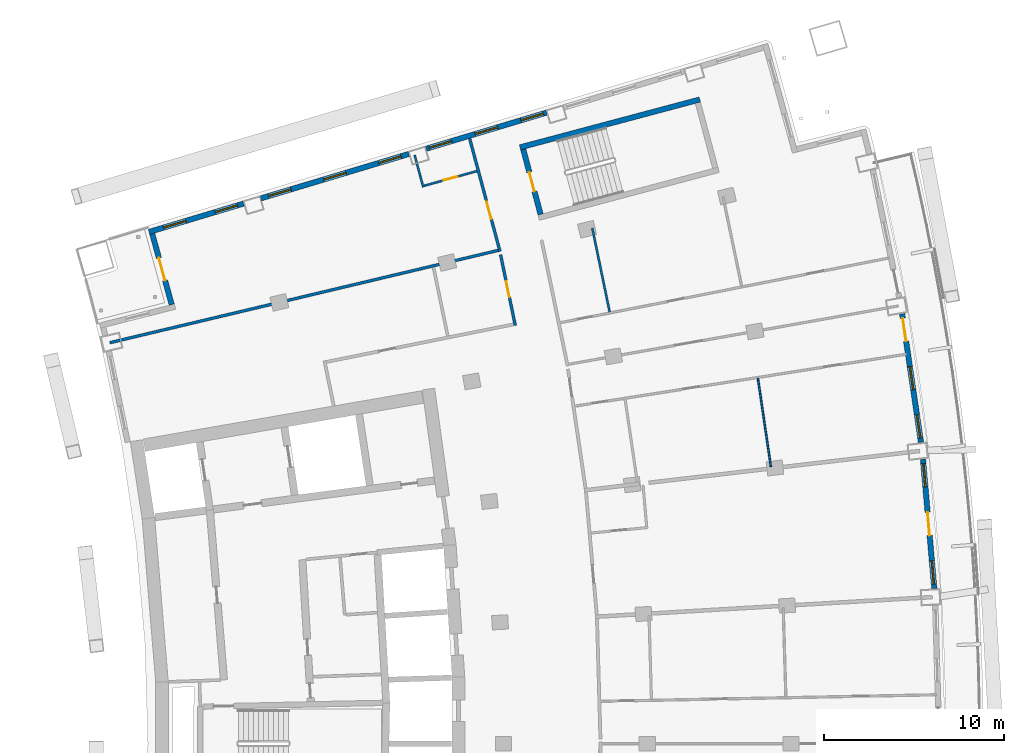
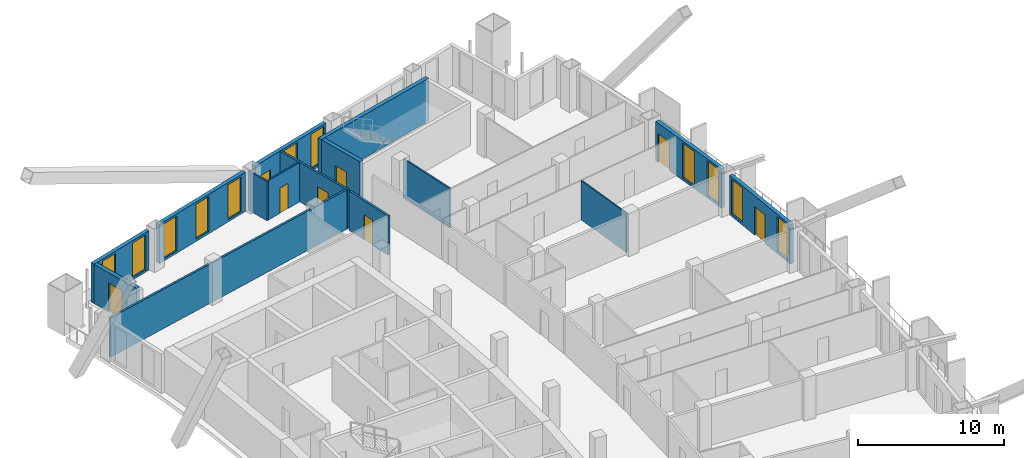
# One storey, part 15 of 20: 15 walls, 12 windows, 7 doors, 19 openings.
"""IFC4 building model written with IfcOpenShell, lengths in metres."""

from ifc_helpers import new_model, si_unit, direction, frame, frame_2d, origin, place, context, subcontext, project, spatial, rectangle, extrude, material, layer, layer_set, type_object, element, fill, save


model = new_model("IFC4")

# Units and contexts
model_context = context("Model", 3, precision=1e-05, world=origin(), true_north=direction((0.0, 1.0)))
body_context = subcontext(model_context, "Body", "Model", "MODEL_VIEW")
ifc_project = project(units=[si_unit("LENGTHUNIT", "METRE"), si_unit("AREAUNIT", "SQUARE_METRE"), si_unit("VOLUMEUNIT", "CUBIC_METRE"), si_unit("PLANEANGLEUNIT", "RADIAN"), si_unit("MASSUNIT", "GRAM", prefix="KILO")], contexts=[model_context])

# Site, building, storey
site_placement = place(None, origin())
site = spatial("IfcSite", under=ifc_project, at=site_placement, CompositionType="ELEMENT")
building_placement = place(site_placement, origin())
building = spatial("IfcBuilding", under=site, at=building_placement, Name="Alderwake Tower", CompositionType="ELEMENT")
storey_placement = place(building_placement, frame((0.0, 0.0, 149.60009765625)))
storey = spatial("IfcBuildingStorey", under=building, at=storey_placement, Name="L36", CompositionType="ELEMENT", Elevation=149.60009765625)

# Wall
ifc_material_1 = material(Name="Concrete C70/85", Category="concrete")
ifc_layer_1 = layer(ifc_material_1, 0.300048828125)
ifc_layer_set_1 = layer_set([ifc_layer_1], Name="Core wall stair enclosure 300 C70-85")
wall_type_1 = type_object("IfcWallType", Name="Core wall stair enclosure 300 C70-85", PredefinedType="SHEAR", material=ifc_layer_set_1)
wall_1_placement = place(storey_placement, frame((36.71142578125, 94.182373046875, 0.0), z_axis=(0.0, 0.0, 1.0), x_axis=(0.966309214305, 0.257383958996, 0.0)))
element("IfcWall", 1, at=wall_1_placement, inside=storey, type_object=wall_type_1, Name="Core wall CW.082", PredefinedType="SHEAR", context=body_context, shape_type="SweptSolid", body=[
    extrude(rectangle(XDim=10.360107421875, YDim=0.300048828125, at=frame_2d((5.18017578125, 0.0))), origin(), (0.0, 0.0, 1.0), 3.599853515625),
])

# Wall, opening, door
wall_2_placement = place(storey_placement, frame((37.8603515625, 90.452392578125, 0.0), z_axis=(0.0, 0.0, 1.0), x_axis=(-0.257411420208, 0.966301899381, 0.0)))
wall_2 = element("IfcWall", 2, at=wall_2_placement, inside=storey, type_object=wall_type_1, Name="Core wall CW.083", PredefinedType="SHEAR", context=body_context, shape_type="SweptSolid", body=[
    extrude(rectangle(XDim=3.750244140625, YDim=0.300048828125, at=frame_2d((1.875, 0.0))), origin(), (0.0, 0.0, 1.0), 3.599853515625),
])
opening_1_placement = place(wall_2_placement, frame((1.324951171875, 0.0, 0.0)))
opening_1 = element("IfcOpeningElement", 3, at=opening_1_placement, cuts=wall_2, Name="Opening C062", PredefinedType="OPENING", context=body_context, shape_type="SweptSolid", body=[
    extrude(rectangle(XDim=1.10009765625, YDim=2.10009765625, at=frame_2d((0.550048828125, 1.050048828125))), frame((0.0, 0.159912109375, 0.0), z_axis=(0.0, -1.0, 0.0), x_axis=(1.0, 0.0, 0.0)), (0.0, 0.0, 1.0), 0.320068359375),
])
ifc_material_2 = material(Name="Steel-framed fire door leaf", Category="steel")
door_type_1 = type_object("IfcDoorType", Name="Core stair door 1100 fire-rated", OperationType="SINGLE_SWING_LEFT", PredefinedType="DOOR", material=ifc_material_2)
door_1_placement = place(opening_1_placement, origin())
door_1 = element("IfcDoor", 4, at=door_1_placement, inside=storey, type_object=door_type_1, Name="Stair door", OperationType="SINGLE_SWING_RIGHT", OverallHeight=2.10009765625, OverallWidth=1.10009765625, PredefinedType="DOOR", context=body_context, shape_type="SweptSolid", body=[
    extrude(rectangle(XDim=1.10009765625, YDim=2.10009765625, at=frame_2d((0.550048828125, 1.050048828125))), frame((0.0, 0.02490234375, 0.0), z_axis=(0.0, -1.0, 0.0), x_axis=(1.0, 0.0, 0.0)), (0.0, 0.0, 1.0), 0.050048828125),
])
fill(opening_1, door_1)

ifc_material_3 = material(Name="Gypsum board on metal studs, rated")
ifc_layer_2 = layer(ifc_material_3, 0.159912109375)
ifc_layer_set_2 = layer_set([ifc_layer_2], Name="Corridor wall 160")
wall_type_2 = type_object("IfcWallType", Name="Corridor wall 160", PredefinedType="PARTITIONING", material=ifc_layer_set_2)
wall_3_placement = place(storey_placement, frame((35.600830078125, 88.392578125, 0.0), z_axis=(0.0, 0.0, 1.0), x_axis=(-0.259509260101, 0.965740619381, 0.0)))
wall_3 = element("IfcWall", 5, at=wall_3_placement, inside=storey, type_object=wall_type_2, Name="WL/L36/W15", PredefinedType="PARTITIONING", context=body_context, shape_type="SweptSolid", body=[
    extrude(rectangle(XDim=6.50732421875, YDim=0.159912109375, at=frame_2d((3.253662109375, 0.0))), origin(), (0.0, 0.0, 1.0), 3.27978515625),
])
opening_2_placement = place(wall_3_placement, frame((1.865478515625, 0.0, 0.0)))
opening_2 = element("IfcOpeningElement", 6, at=opening_2_placement, cuts=wall_3, Name="Opening R10-U09.1", PredefinedType="OPENING", context=body_context, shape_type="SweptSolid", body=[
    extrude(rectangle(XDim=1.0, YDim=2.10009765625, at=frame_2d((0.5, 1.050048828125))), frame((0.0, 0.08984375, 0.0), z_axis=(0.0, -1.0, 0.0), x_axis=(1.0, 0.0, 0.0)), (0.0, 0.0, 1.0), 0.179931640625),
])
ifc_material_4 = material(Name="Solid timber leaf in steel frame", Category="steel")
door_type_2 = type_object("IfcDoorType", Name="Flat entrance door 1000 fire-rated", OperationType="SINGLE_SWING_LEFT", PredefinedType="DOOR", material=ifc_material_4)
door_2_placement = place(opening_2_placement, origin())
door_2 = element("IfcDoor", 7, at=door_2_placement, inside=storey, type_object=door_type_2, Name="DR/L36/U09.1", OperationType="SINGLE_SWING_LEFT", OverallHeight=2.10009765625, OverallWidth=1.0, PredefinedType="DOOR", context=body_context, shape_type="SweptSolid", body=[
    extrude(rectangle(XDim=1.0, YDim=2.10009765625, at=frame_2d((0.5, 1.050048828125))), frame((0.0, 0.02490234375, 0.0), z_axis=(0.0, -1.0, 0.0), x_axis=(1.0, 0.0, 0.0)), (0.0, 0.0, 1.0), 0.050048828125),
])
fill(opening_2, door_2)

# Wall
wall_4_placement = place(storey_placement, frame((35.502197265625, 88.451416015625, 0.0), z_axis=(0.0, 0.0, 1.0), x_axis=(-0.972894913244, -0.231247676278, 0.0)))
element("IfcWall", 8, at=wall_4_placement, inside=storey, type_object=wall_type_2, Name="WL/L36/W17", PredefinedType="PARTITIONING", context=body_context, shape_type="SweptSolid", body=[
    extrude(rectangle(XDim=22.220458984375, YDim=0.159912109375, at=frame_2d((11.1103515625, 0.0))), origin(), (0.0, 0.0, 1.0), 3.27978515625),
])

# Wall, opening, door
wall_5_placement = place(storey_placement, frame((36.451416015625, 84.272705078125, 0.0), z_axis=(0.0, 0.0, 1.0), x_axis=(-0.203258199701, 0.979125172924, 0.0)))
wall_5 = element("IfcWall", 9, at=wall_5_placement, inside=storey, type_object=wall_type_2, Name="WL/L36/W18", PredefinedType="PARTITIONING", context=body_context, shape_type="SweptSolid", body=[
    extrude(rectangle(XDim=4.020263671875, YDim=0.159912109375, at=frame_2d((2.01025390625, 0.0))), origin(), (0.0, 0.0, 1.0), 3.27978515625),
])
opening_3_placement = place(wall_5_placement, frame((1.599609375, 0.0, 0.0)))
opening_3 = element("IfcOpeningElement", 10, at=opening_3_placement, cuts=wall_5, Name="Opening R10-SBN2", PredefinedType="OPENING", context=body_context, shape_type="SweptSolid", body=[
    extrude(rectangle(XDim=0.89990234375, YDim=2.10009765625, at=frame_2d((0.449951171875, 1.050048828125))), frame((0.0, 0.08984375, 0.0), z_axis=(0.0, -1.0, 0.0), x_axis=(1.0, 0.0, 0.0)), (0.0, 0.0, 1.0), 0.179931640625),
])
ifc_material_5 = material(Name="Painted timber leaf", Category="wood")
door_type_3 = type_object("IfcDoorType", Name="Room door 900", OperationType="SINGLE_SWING_LEFT", PredefinedType="DOOR", material=ifc_material_5)
door_3_placement = place(opening_3_placement, origin())
door_3 = element("IfcDoor", 11, at=door_3_placement, inside=storey, type_object=door_type_3, Name="DR/L36/SBN2", OperationType="SINGLE_SWING_LEFT", OverallHeight=2.10009765625, OverallWidth=0.89990234375, PredefinedType="DOOR", context=body_context, shape_type="SweptSolid", body=[
    extrude(rectangle(XDim=0.89990234375, YDim=2.10009765625, at=frame_2d((0.449951171875, 1.050048828125))), frame((0.0, 0.02490234375, 0.0), z_axis=(0.0, -1.0, 0.0), x_axis=(1.0, 0.0, 0.0)), (0.0, 0.0, 1.0), 0.050048828125),
])
fill(opening_3, door_3)

# Wall, openings, door, windows
ifc_material_6 = material(Name="Precast concrete C50/60 spandrel panel", Category="concrete")
ifc_layer_3 = layer(ifc_material_6, 0.300048828125)
ifc_layer_set_3 = layer_set([ifc_layer_3], Name="External wall EW1 Precast concrete C50/60 spandrel")
wall_type_3 = type_object("IfcWallType", Name="External wall EW1 Precast concrete C50/60 spandrel", PredefinedType="SOLIDWALL", material=ifc_layer_set_3)
wall_6_placement = place(storey_placement, frame((59.7705078125, 69.63623046875, 0.0), z_axis=(0.0, 0.0, 1.0), x_axis=(-0.087383747715, 0.996174723949, 0.0)))
wall_6 = element("IfcWall", 12, at=wall_6_placement, inside=storey, type_object=wall_type_3, Name="External wall 17", PredefinedType="SOLIDWALL", context=body_context, shape_type="SweptSolid", body=[
    extrude(rectangle(XDim=7.22216796875, YDim=0.300048828125, at=frame_2d((3.611083984375, 0.0))), origin(), (0.0, 0.0, 1.0), 3.27978515625),
])
opening_4_placement = place(wall_6_placement, frame((0.2431640625, 0.0, 0.199951171875)))
opening_4 = element("IfcOpeningElement", 13, at=opening_4_placement, cuts=wall_6, Name="Opening W1", PredefinedType="OPENING", context=body_context, shape_type="SweptSolid", body=[
    extrude(rectangle(XDim=1.300048828125, YDim=2.89990234375, at=frame_2d((0.64990234375, 1.449951171875))), frame((0.0, 0.159912109375, 0.0), z_axis=(0.0, -1.0, 0.0), x_axis=(1.0, 0.0, 0.0)), (0.0, 0.0, 1.0), 0.320068359375),
])
opening_5_placement = place(wall_6_placement, frame((2.9609375, 0.0, 0.0)))
opening_5 = element("IfcOpeningElement", 14, at=opening_5_placement, cuts=wall_6, Name="Opening D06", PredefinedType="OPENING", context=body_context, shape_type="SweptSolid", body=[
    extrude(rectangle(XDim=1.300048828125, YDim=2.39990234375, at=frame_2d((0.64990234375, 1.199951171875))), frame((0.0, 0.159912109375, 0.0), z_axis=(0.0, -1.0, 0.0), x_axis=(1.0, 0.0, 0.0)), (0.0, 0.0, 1.0), 0.320068359375),
])
opening_6_placement = place(wall_6_placement, frame((5.678955078125, 0.0, 0.199951171875)))
opening_6 = element("IfcOpeningElement", 15, at=opening_6_placement, cuts=wall_6, Name="Opening W1", PredefinedType="OPENING", context=body_context, shape_type="SweptSolid", body=[
    extrude(rectangle(XDim=1.300048828125, YDim=2.89990234375, at=frame_2d((0.64990234375, 1.449951171875))), frame((0.0, 0.159912109375, 0.0), z_axis=(0.0, -1.0, 0.0), x_axis=(1.0, 0.0, 0.0)), (0.0, 0.0, 1.0), 0.320068359375),
])
ifc_material_7 = material(Name="Bronze tinted glass in aluminium frame", Category="aluminium")
door_type_4 = type_object("IfcDoorType", Name="Balcony door BD sliding", OperationType="SLIDING_TO_LEFT", PredefinedType="DOOR", material=ifc_material_7)
door_4_placement = place(opening_5_placement, origin())
door_4 = element("IfcDoor", 16, at=door_4_placement, inside=storey, type_object=door_type_4, Name="Door D06", OperationType="SLIDING_TO_LEFT", OverallHeight=2.39990234375, OverallWidth=1.300048828125, PredefinedType="DOOR", context=body_context, shape_type="SweptSolid", body=[
    extrude(rectangle(XDim=1.300048828125, YDim=2.39990234375, at=frame_2d((0.64990234375, 1.199951171875))), frame((0.0, 0.02490234375, 0.0), z_axis=(0.0, -1.0, 0.0), x_axis=(1.0, 0.0, 0.0)), (0.0, 0.0, 1.0), 0.050048828125),
])
fill(opening_5, door_4)
ifc_material_8 = material(Name="Bronze tinted glass in aluminium frame", Category="aluminium")
window_type_1 = type_object("IfcWindowType", Name="Window W1 tall fixed and vent", PartitioningType="DOUBLE_PANEL_VERTICAL", PredefinedType="WINDOW", material=ifc_material_8)
window_1_placement = place(opening_4_placement, origin())
window_1 = element("IfcWindow", 17, at=window_1_placement, inside=storey, type_object=window_type_1, Name="Window W1 tall fixed and vent", OverallHeight=2.89990234375, OverallWidth=1.300048828125, PartitioningType="DOUBLE_PANEL_VERTICAL", PredefinedType="WINDOW", context=body_context, shape_type="SweptSolid", body=[
    extrude(rectangle(XDim=1.300048828125, YDim=2.89990234375, at=frame_2d((0.64990234375, 1.449951171875))), frame((0.0, 0.030029296875, 0.0), z_axis=(0.0, -1.0, 0.0), x_axis=(1.0, 0.0, 0.0)), (0.0, 0.0, 1.0), 0.06005859375),
])
fill(opening_4, window_1)
window_2_placement = place(opening_6_placement, origin())
window_2 = element("IfcWindow", 18, at=window_2_placement, inside=storey, type_object=window_type_1, Name="Window W1 tall fixed and vent", OverallHeight=2.89990234375, OverallWidth=1.300048828125, PartitioningType="DOUBLE_PANEL_VERTICAL", PredefinedType="WINDOW", context=body_context, shape_type="SweptSolid", body=[
    extrude(rectangle(XDim=1.300048828125, YDim=2.89990234375, at=frame_2d((0.64990234375, 1.449951171875))), frame((0.0, 0.030029296875, 0.0), z_axis=(0.0, -1.0, 0.0), x_axis=(1.0, 0.0, 0.0)), (0.0, 0.0, 1.0), 0.06005859375),
])
fill(opening_6, window_2)

wall_7_placement = place(storey_placement, frame((59.029296875, 77.770263671875, 0.0), z_axis=(0.0, 0.0, 1.0), x_axis=(-0.145324652045, 0.989384023273, 0.0)))
wall_7 = element("IfcWall", 19, at=wall_7_placement, inside=storey, type_object=wall_type_3, Name="External wall 18", PredefinedType="SOLIDWALL", context=body_context, shape_type="SweptSolid", body=[
    extrude(rectangle(XDim=7.22216796875, YDim=0.300048828125, at=frame_2d((3.611083984375, 0.0))), origin(), (0.0, 0.0, 1.0), 3.27978515625),
])
opening_7_placement = place(wall_7_placement, frame((0.2431640625, 0.0, 0.199951171875)))
opening_7 = element("IfcOpeningElement", 20, at=opening_7_placement, cuts=wall_7, Name="Opening W1", PredefinedType="OPENING", context=body_context, shape_type="SweptSolid", body=[
    extrude(rectangle(XDim=1.300048828125, YDim=2.89990234375, at=frame_2d((0.64990234375, 1.449951171875))), frame((0.0, 0.159912109375, 0.0), z_axis=(0.0, -1.0, 0.0), x_axis=(1.0, 0.0, 0.0)), (0.0, 0.0, 1.0), 0.320068359375),
])
opening_8_placement = place(wall_7_placement, frame((2.961181640625, 0.0, 0.199951171875)))
opening_8 = element("IfcOpeningElement", 21, at=opening_8_placement, cuts=wall_7, Name="Opening W1", PredefinedType="OPENING", context=body_context, shape_type="SweptSolid", body=[
    extrude(rectangle(XDim=1.300048828125, YDim=2.89990234375, at=frame_2d((0.64990234375, 1.449951171875))), frame((0.0, 0.159912109375, 0.0), z_axis=(0.0, -1.0, 0.0), x_axis=(1.0, 0.0, 0.0)), (0.0, 0.0, 1.0), 0.320068359375),
])
opening_9_placement = place(wall_7_placement, frame((5.678955078125, 0.0, 0.0)))
opening_9 = element("IfcOpeningElement", 22, at=opening_9_placement, cuts=wall_7, Name="Opening D07", PredefinedType="OPENING", context=body_context, shape_type="SweptSolid", body=[
    extrude(rectangle(XDim=1.300048828125, YDim=2.39990234375, at=frame_2d((0.64990234375, 1.199951171875))), frame((0.0, 0.159912109375, 0.0), z_axis=(0.0, -1.0, 0.0), x_axis=(1.0, 0.0, 0.0)), (0.0, 0.0, 1.0), 0.320068359375),
])
door_5_placement = place(opening_9_placement, origin())
door_5 = element("IfcDoor", 23, at=door_5_placement, inside=storey, type_object=door_type_4, Name="Door D07", OperationType="SLIDING_TO_LEFT", OverallHeight=2.39990234375, OverallWidth=1.300048828125, PredefinedType="DOOR", context=body_context, shape_type="SweptSolid", body=[
    extrude(rectangle(XDim=1.300048828125, YDim=2.39990234375, at=frame_2d((0.64990234375, 1.199951171875))), frame((0.0, 0.02490234375, 0.0), z_axis=(0.0, -1.0, 0.0), x_axis=(1.0, 0.0, 0.0)), (0.0, 0.0, 1.0), 0.050048828125),
])
fill(opening_9, door_5)
window_3_placement = place(opening_7_placement, origin())
window_3 = element("IfcWindow", 24, at=window_3_placement, inside=storey, type_object=window_type_1, Name="Window W1 tall fixed and vent", OverallHeight=2.89990234375, OverallWidth=1.300048828125, PartitioningType="DOUBLE_PANEL_VERTICAL", PredefinedType="WINDOW", context=body_context, shape_type="SweptSolid", body=[
    extrude(rectangle(XDim=1.300048828125, YDim=2.89990234375, at=frame_2d((0.64990234375, 1.449951171875))), frame((0.0, 0.030029296875, 0.0), z_axis=(0.0, -1.0, 0.0), x_axis=(1.0, 0.0, 0.0)), (0.0, 0.0, 1.0), 0.06005859375),
])
fill(opening_7, window_3)
window_4_placement = place(opening_8_placement, origin())
window_4 = element("IfcWindow", 25, at=window_4_placement, inside=storey, type_object=window_type_1, Name="Window W1 tall fixed and vent", OverallHeight=2.89990234375, OverallWidth=1.300048828125, PartitioningType="DOUBLE_PANEL_VERTICAL", PredefinedType="WINDOW", context=body_context, shape_type="SweptSolid", body=[
    extrude(rectangle(XDim=1.300048828125, YDim=2.89990234375, at=frame_2d((0.64990234375, 1.449951171875))), frame((0.0, 0.030029296875, 0.0), z_axis=(0.0, -1.0, 0.0), x_axis=(1.0, 0.0, 0.0)), (0.0, 0.0, 1.0), 0.06005859375),
])
fill(opening_8, window_4)

# Wall, openings, windows
ifc_material_9 = material(Name="Bronze metal cladding on lightweight framing")
ifc_layer_4 = layer(ifc_material_9, 0.300048828125)
ifc_layer_set_4 = layer_set([ifc_layer_4], Name="External wall EW2 bronze metal cladding")
wall_type_4 = type_object("IfcWallType", Name="External wall EW2 bronze metal cladding", PredefinedType="SOLIDWALL", material=ifc_layer_set_4)
wall_8_placement = place(storey_placement, frame((38.18994140625, 96.11865234375, 0.0), z_axis=(0.0, 0.0, 1.0), x_axis=(-0.957757105671, -0.287578383292, 0.0)))
wall_8 = element("IfcWall", 26, at=wall_8_placement, inside=storey, type_object=wall_type_4, Name="External wall 25", PredefinedType="SOLIDWALL", context=body_context, shape_type="SweptSolid", body=[
    extrude(rectangle(XDim=6.996337890625, YDim=0.300048828125, at=frame_2d((3.498046875, 0.0))), origin(), (0.0, 0.0, 1.0), 3.27978515625),
])
opening_10_placement = place(wall_8_placement, frame((0.181396484375, 0.0, 0.199951171875)))
opening_10 = element("IfcOpeningElement", 27, at=opening_10_placement, cuts=wall_8, Name="Opening W1", PredefinedType="OPENING", context=body_context, shape_type="SweptSolid", body=[
    extrude(rectangle(XDim=1.300048828125, YDim=2.89990234375, at=frame_2d((0.64990234375, 1.449951171875))), frame((0.0, 0.159912109375, 0.0), z_axis=(0.0, -1.0, 0.0), x_axis=(1.0, 0.0, 0.0)), (0.0, 0.0, 1.0), 0.320068359375),
])
opening_11_placement = place(wall_8_placement, frame((2.84814453125, 0.0, 0.199951171875)))
opening_11 = element("IfcOpeningElement", 28, at=opening_11_placement, cuts=wall_8, Name="Opening W1", PredefinedType="OPENING", context=body_context, shape_type="SweptSolid", body=[
    extrude(rectangle(XDim=1.300048828125, YDim=2.89990234375, at=frame_2d((0.64990234375, 1.449951171875))), frame((0.0, 0.159912109375, 0.0), z_axis=(0.0, -1.0, 0.0), x_axis=(1.0, 0.0, 0.0)), (0.0, 0.0, 1.0), 0.320068359375),
])
opening_12_placement = place(wall_8_placement, frame((5.514892578125, 0.0, 1.0)))
opening_12 = element("IfcOpeningElement", 29, at=opening_12_placement, cuts=wall_8, Name="Opening W2", PredefinedType="OPENING", context=body_context, shape_type="SweptSolid", body=[
    extrude(rectangle(XDim=1.300048828125, YDim=1.199951171875, at=frame_2d((0.64990234375, 0.60009765625))), frame((0.0, 0.159912109375, 0.0), z_axis=(0.0, -1.0, 0.0), x_axis=(1.0, 0.0, 0.0)), (0.0, 0.0, 1.0), 0.320068359375),
])
window_5_placement = place(opening_10_placement, origin())
window_5 = element("IfcWindow", 30, at=window_5_placement, inside=storey, type_object=window_type_1, Name="Window W1 tall fixed and vent", OverallHeight=2.89990234375, OverallWidth=1.300048828125, PartitioningType="DOUBLE_PANEL_VERTICAL", PredefinedType="WINDOW", context=body_context, shape_type="SweptSolid", body=[
    extrude(rectangle(XDim=1.300048828125, YDim=2.89990234375, at=frame_2d((0.64990234375, 1.449951171875))), frame((0.0, 0.030029296875, 0.0), z_axis=(0.0, -1.0, 0.0), x_axis=(1.0, 0.0, 0.0)), (0.0, 0.0, 1.0), 0.06005859375),
])
fill(opening_10, window_5)
window_6_placement = place(opening_11_placement, origin())
window_6 = element("IfcWindow", 31, at=window_6_placement, inside=storey, type_object=window_type_1, Name="Window W1 tall fixed and vent", OverallHeight=2.89990234375, OverallWidth=1.300048828125, PartitioningType="DOUBLE_PANEL_VERTICAL", PredefinedType="WINDOW", context=body_context, shape_type="SweptSolid", body=[
    extrude(rectangle(XDim=1.300048828125, YDim=2.89990234375, at=frame_2d((0.64990234375, 1.449951171875))), frame((0.0, 0.030029296875, 0.0), z_axis=(0.0, -1.0, 0.0), x_axis=(1.0, 0.0, 0.0)), (0.0, 0.0, 1.0), 0.06005859375),
])
fill(opening_11, window_6)
ifc_material_10 = material(Name="Bronze tinted glass in aluminium frame", Category="aluminium")
window_type_2 = type_object("IfcWindowType", Name="Window W2 kitchen and bath", PartitioningType="SINGLE_PANEL", PredefinedType="WINDOW", material=ifc_material_10)
window_7_placement = place(opening_12_placement, origin())
window_7 = element("IfcWindow", 32, at=window_7_placement, inside=storey, type_object=window_type_2, Name="Window W2 kitchen and bath", OverallHeight=1.199951171875, OverallWidth=1.300048828125, PartitioningType="SINGLE_PANEL", PredefinedType="WINDOW", context=body_context, shape_type="SweptSolid", body=[
    extrude(rectangle(XDim=1.300048828125, YDim=1.199951171875, at=frame_2d((0.64990234375, 0.60009765625))), frame((0.0, 0.030029296875, 0.0), z_axis=(0.0, -1.0, 0.0), x_axis=(1.0, 0.0, 0.0)), (0.0, 0.0, 1.0), 0.06005859375),
])
fill(opening_12, window_7)

wall_9_placement = place(storey_placement, frame((30.527587890625, 93.818115234375, 0.0), z_axis=(0.0, 0.0, 1.0), x_axis=(-0.957768419769, -0.287540699891, 0.0)))
wall_9 = element("IfcWall", 33, at=wall_9_placement, inside=storey, type_object=wall_type_4, Name="External wall 26", PredefinedType="SOLIDWALL", context=body_context, shape_type="SweptSolid", body=[
    extrude(rectangle(XDim=8.595947265625, YDim=0.300048828125, at=frame_2d((4.2978515625, 0.0))), origin(), (0.0, 0.0, 1.0), 3.27978515625),
])
opening_13_placement = place(wall_9_placement, frame((0.447998046875, 0.0, 0.199951171875)))
opening_13 = element("IfcOpeningElement", 34, at=opening_13_placement, cuts=wall_9, Name="Opening W1", PredefinedType="OPENING", context=body_context, shape_type="SweptSolid", body=[
    extrude(rectangle(XDim=1.300048828125, YDim=2.89990234375, at=frame_2d((0.64990234375, 1.449951171875))), frame((0.0, 0.159912109375, 0.0), z_axis=(0.0, -1.0, 0.0), x_axis=(1.0, 0.0, 0.0)), (0.0, 0.0, 1.0), 0.320068359375),
])
opening_14_placement = place(wall_9_placement, frame((3.64794921875, 0.0, 0.199951171875)))
opening_14 = element("IfcOpeningElement", 35, at=opening_14_placement, cuts=wall_9, Name="Opening W1", PredefinedType="OPENING", context=body_context, shape_type="SweptSolid", body=[
    extrude(rectangle(XDim=1.300048828125, YDim=2.89990234375, at=frame_2d((0.64990234375, 1.449951171875))), frame((0.0, 0.159912109375, 0.0), z_axis=(0.0, -1.0, 0.0), x_axis=(1.0, 0.0, 0.0)), (0.0, 0.0, 1.0), 0.320068359375),
])
opening_15_placement = place(wall_9_placement, frame((6.84814453125, 0.0, 0.199951171875)))
opening_15 = element("IfcOpeningElement", 36, at=opening_15_placement, cuts=wall_9, Name="Opening W1", PredefinedType="OPENING", context=body_context, shape_type="SweptSolid", body=[
    extrude(rectangle(XDim=1.300048828125, YDim=2.89990234375, at=frame_2d((0.64990234375, 1.449951171875))), frame((0.0, 0.159912109375, 0.0), z_axis=(0.0, -1.0, 0.0), x_axis=(1.0, 0.0, 0.0)), (0.0, 0.0, 1.0), 0.320068359375),
])
window_8_placement = place(opening_13_placement, origin())
window_8 = element("IfcWindow", 37, at=window_8_placement, inside=storey, type_object=window_type_1, Name="Window W1 tall fixed and vent", OverallHeight=2.89990234375, OverallWidth=1.300048828125, PartitioningType="DOUBLE_PANEL_VERTICAL", PredefinedType="WINDOW", context=body_context, shape_type="SweptSolid", body=[
    extrude(rectangle(XDim=1.300048828125, YDim=2.89990234375, at=frame_2d((0.64990234375, 1.449951171875))), frame((0.0, 0.030029296875, 0.0), z_axis=(0.0, -1.0, 0.0), x_axis=(1.0, 0.0, 0.0)), (0.0, 0.0, 1.0), 0.06005859375),
])
fill(opening_13, window_8)
window_9_placement = place(opening_14_placement, origin())
window_9 = element("IfcWindow", 38, at=window_9_placement, inside=storey, type_object=window_type_1, Name="Window W1 tall fixed and vent", OverallHeight=2.89990234375, OverallWidth=1.300048828125, PartitioningType="DOUBLE_PANEL_VERTICAL", PredefinedType="WINDOW", context=body_context, shape_type="SweptSolid", body=[
    extrude(rectangle(XDim=1.300048828125, YDim=2.89990234375, at=frame_2d((0.64990234375, 1.449951171875))), frame((0.0, 0.030029296875, 0.0), z_axis=(0.0, -1.0, 0.0), x_axis=(1.0, 0.0, 0.0)), (0.0, 0.0, 1.0), 0.06005859375),
])
fill(opening_14, window_9)
window_10_placement = place(opening_15_placement, origin())
window_10 = element("IfcWindow", 39, at=window_10_placement, inside=storey, type_object=window_type_1, Name="Window W1 tall fixed and vent", OverallHeight=2.89990234375, OverallWidth=1.300048828125, PartitioningType="DOUBLE_PANEL_VERTICAL", PredefinedType="WINDOW", context=body_context, shape_type="SweptSolid", body=[
    extrude(rectangle(XDim=1.300048828125, YDim=2.89990234375, at=frame_2d((0.64990234375, 1.449951171875))), frame((0.0, 0.030029296875, 0.0), z_axis=(0.0, -1.0, 0.0), x_axis=(1.0, 0.0, 0.0)), (0.0, 0.0, 1.0), 0.06005859375),
])
fill(opening_15, window_10)

wall_10_placement = place(storey_placement, frame((21.332763671875, 91.0576171875, 0.0), z_axis=(0.0, 0.0, 1.0), x_axis=(-0.957767615614, -0.287543378434, 0.0)))
wall_10 = element("IfcWall", 40, at=wall_10_placement, inside=storey, type_object=wall_type_4, Name="External wall 27", PredefinedType="SOLIDWALL", context=body_context, shape_type="SweptSolid", body=[
    extrude(rectangle(XDim=5.499267578125, YDim=0.300048828125, at=frame_2d((2.74951171875, 0.0))), origin(), (0.0, 0.0, 1.0), 3.27978515625),
])
opening_16_placement = place(wall_10_placement, frame((0.34814453125, 0.0, 0.199951171875)))
opening_16 = element("IfcOpeningElement", 41, at=opening_16_placement, cuts=wall_10, Name="Opening W1", PredefinedType="OPENING", context=body_context, shape_type="SweptSolid", body=[
    extrude(rectangle(XDim=1.300048828125, YDim=2.89990234375, at=frame_2d((0.64990234375, 1.449951171875))), frame((0.0, 0.159912109375, 0.0), z_axis=(0.0, -1.0, 0.0), x_axis=(1.0, 0.0, 0.0)), (0.0, 0.0, 1.0), 0.320068359375),
])
opening_17_placement = place(wall_10_placement, frame((3.34912109375, 0.0, 0.199951171875)))
opening_17 = element("IfcOpeningElement", 42, at=opening_17_placement, cuts=wall_10, Name="Opening W1", PredefinedType="OPENING", context=body_context, shape_type="SweptSolid", body=[
    extrude(rectangle(XDim=1.300048828125, YDim=2.89990234375, at=frame_2d((0.64990234375, 1.449951171875))), frame((0.0, 0.159912109375, 0.0), z_axis=(0.0, -1.0, 0.0), x_axis=(1.0, 0.0, 0.0)), (0.0, 0.0, 1.0), 0.320068359375),
])
window_11_placement = place(opening_16_placement, origin())
window_11 = element("IfcWindow", 43, at=window_11_placement, inside=storey, type_object=window_type_1, Name="Window W1 tall fixed and vent", OverallHeight=2.89990234375, OverallWidth=1.300048828125, PartitioningType="DOUBLE_PANEL_VERTICAL", PredefinedType="WINDOW", context=body_context, shape_type="SweptSolid", body=[
    extrude(rectangle(XDim=1.300048828125, YDim=2.89990234375, at=frame_2d((0.64990234375, 1.449951171875))), frame((0.0, 0.030029296875, 0.0), z_axis=(0.0, -1.0, 0.0), x_axis=(1.0, 0.0, 0.0)), (0.0, 0.0, 1.0), 0.06005859375),
])
fill(opening_16, window_11)
window_12_placement = place(opening_17_placement, origin())
window_12 = element("IfcWindow", 44, at=window_12_placement, inside=storey, type_object=window_type_1, Name="Window W1 tall fixed and vent", OverallHeight=2.89990234375, OverallWidth=1.300048828125, PartitioningType="DOUBLE_PANEL_VERTICAL", PredefinedType="WINDOW", context=body_context, shape_type="SweptSolid", body=[
    extrude(rectangle(XDim=1.300048828125, YDim=2.89990234375, at=frame_2d((0.64990234375, 1.449951171875))), frame((0.0, 0.030029296875, 0.0), z_axis=(0.0, -1.0, 0.0), x_axis=(1.0, 0.0, 0.0)), (0.0, 0.0, 1.0), 0.06005859375),
])
fill(opening_17, window_12)

# Wall, opening, door
wall_11_placement = place(storey_placement, frame((16.248779296875, 89.374755859375, 0.0), z_axis=(0.0, 0.0, 1.0), x_axis=(0.264607053468, -0.964356317579, 0.0)))
wall_11 = element("IfcWall", 45, at=wall_11_placement, inside=storey, type_object=wall_type_4, Name="External wall 28", PredefinedType="SOLIDWALL", context=body_context, shape_type="SweptSolid", body=[
    extrude(rectangle(XDim=4.090087890625, YDim=0.300048828125, at=frame_2d((2.044921875, 0.0))), origin(), (0.0, 0.0, 1.0), 3.27978515625),
])
opening_18_placement = place(wall_11_placement, frame((1.39501953125, 0.0, 0.0)))
opening_18 = element("IfcOpeningElement", 46, at=opening_18_placement, cuts=wall_11, Name="Opening D09", PredefinedType="OPENING", context=body_context, shape_type="SweptSolid", body=[
    extrude(rectangle(XDim=1.300048828125, YDim=2.39990234375, at=frame_2d((0.64990234375, 1.199951171875))), frame((0.0, 0.159912109375, 0.0), z_axis=(0.0, -1.0, 0.0), x_axis=(1.0, 0.0, 0.0)), (0.0, 0.0, 1.0), 0.320068359375),
])
door_6_placement = place(opening_18_placement, origin())
door_6 = element("IfcDoor", 47, at=door_6_placement, inside=storey, type_object=door_type_4, Name="Door D09", OperationType="SLIDING_TO_LEFT", OverallHeight=2.39990234375, OverallWidth=1.300048828125, PredefinedType="DOOR", context=body_context, shape_type="SweptSolid", body=[
    extrude(rectangle(XDim=1.300048828125, YDim=2.39990234375, at=frame_2d((0.64990234375, 1.199951171875))), frame((0.0, 0.02490234375, 0.0), z_axis=(0.0, -1.0, 0.0), x_axis=(1.0, 0.0, 0.0)), (0.0, 0.0, 1.0), 0.050048828125),
])
fill(opening_18, door_6)

# Walls
ifc_material_11 = material(Name="Gypsum board on metal studs")
ifc_layer_5 = layer(ifc_material_11, 0.10009765625)
ifc_layer_set_5 = layer_set([ifc_layer_5], Name="Unit partition 100")
wall_type_5 = type_object("IfcWallType", Name="Unit partition 100", PredefinedType="PARTITIONING", material=ifc_layer_set_5)
wall_12_placement = place(storey_placement, frame((50.676513671875, 76.416015625, 0.0), z_axis=(0.0, 0.0, 1.0), x_axis=(-0.145440200606, 0.989367044149, 0.0)))
element("IfcWall", 48, at=wall_12_placement, inside=storey, type_object=wall_type_5, Name="WL/L36/W50", PredefinedType="PARTITIONING", context=body_context, shape_type="SweptSolid", body=[
    extrude(rectangle(XDim=4.96533203125, YDim=0.10009765625, at=frame_2d((2.482666015625, 0.0))), origin(), (0.0, 0.0, 1.0), 3.27978515625),
])
ifc_material_12 = material(Name="Moisture resistant gypsum board on metal studs")
ifc_layer_6 = layer(ifc_material_12, 0.1201171875)
ifc_layer_set_6 = layer_set([ifc_layer_6], Name="Wet room partition 120")
wall_type_6 = type_object("IfcWallType", Name="Wet room partition 120", PredefinedType="PARTITIONING", material=ifc_layer_set_6)
wall_13_placement = place(storey_placement, frame((30.84912109375, 93.759033203125, 0.0), z_axis=(0.0, 0.0, 1.0), x_axis=(0.259401464702, -0.965769579201, 0.0)))
element("IfcWall", 49, at=wall_13_placement, inside=storey, type_object=wall_type_6, Name="WL/L36/W30", PredefinedType="PARTITIONING", context=body_context, shape_type="SweptSolid", body=[
    extrude(rectangle(XDim=1.852294921875, YDim=0.1201171875, at=frame_2d((0.92626953125, 0.0))), origin(), (0.0, 0.0, 1.0), 3.27978515625),
])

# Wall, opening, door
wall_14_placement = place(storey_placement, frame((31.371826171875, 92.044189453125, 0.0), z_axis=(0.0, 0.0, 1.0), x_axis=(0.963351881246, 0.268240848677, 0.0)))
wall_14 = element("IfcWall", 50, at=wall_14_placement, inside=storey, type_object=wall_type_6, Name="WL/L36/W32", PredefinedType="PARTITIONING", context=body_context, shape_type="SweptSolid", body=[
    extrude(rectangle(XDim=3.05810546875, YDim=0.1201171875, at=frame_2d((1.529052734375, 0.0))), origin(), (0.0, 0.0, 1.0), 3.27978515625),
])
opening_19_placement = place(wall_14_placement, frame((1.129150390625, 0.0, 0.0)))
opening_19 = element("IfcOpeningElement", 51, at=opening_19_placement, cuts=wall_14, Name="Opening R10-U09.2", PredefinedType="OPENING", context=body_context, shape_type="SweptSolid", body=[
    extrude(rectangle(XDim=0.800048828125, YDim=2.10009765625, at=frame_2d((0.39990234375, 1.050048828125))), frame((0.0, 0.070068359375, 0.0), z_axis=(0.0, -1.0, 0.0), x_axis=(1.0, 0.0, 0.0)), (0.0, 0.0, 1.0), 0.14013671875),
])
ifc_material_13 = material(Name="Painted timber leaf", Category="wood")
door_type_5 = type_object("IfcDoorType", Name="Bathroom door 800", OperationType="SINGLE_SWING_LEFT", PredefinedType="DOOR", material=ifc_material_13)
door_7_placement = place(opening_19_placement, origin())
door_7 = element("IfcDoor", 52, at=door_7_placement, inside=storey, type_object=door_type_5, Name="DR/L36/U09.2", OperationType="SINGLE_SWING_LEFT", OverallHeight=2.10009765625, OverallWidth=0.800048828125, PredefinedType="DOOR", context=body_context, shape_type="SweptSolid", body=[
    extrude(rectangle(XDim=0.800048828125, YDim=2.10009765625, at=frame_2d((0.39990234375, 1.050048828125))), frame((0.0, 0.02490234375, 0.0), z_axis=(0.0, -1.0, 0.0), x_axis=(1.0, 0.0, 0.0)), (0.0, 0.0, 1.0), 0.050048828125),
])
fill(opening_19, door_7)

# Wall
wall_15_placement = place(storey_placement, frame((41.704833984375, 85.01806640625, 0.0), z_axis=(0.0, 0.0, 1.0), x_axis=(-0.202669848328, 0.979247125387, 0.0)))
element("IfcWall", 53, at=wall_15_placement, inside=storey, type_object=wall_type_6, Name="WL/L36/W35", PredefinedType="PARTITIONING", context=body_context, shape_type="SweptSolid", body=[
    extrude(rectangle(XDim=4.775146484375, YDim=0.1201171875, at=frame_2d((2.3876953125, 0.0))), origin(), (0.0, 0.0, 1.0), 3.27978515625),
])

save(model, "model.ifc")
